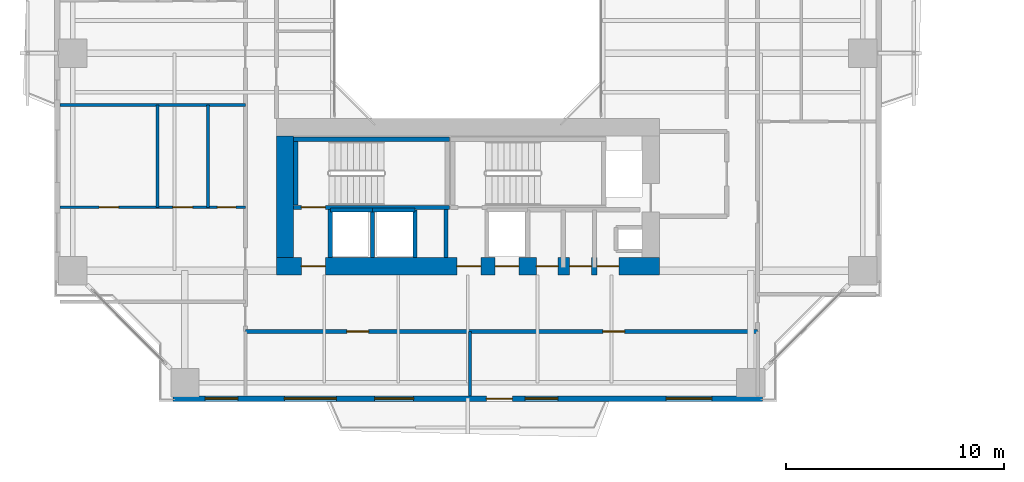
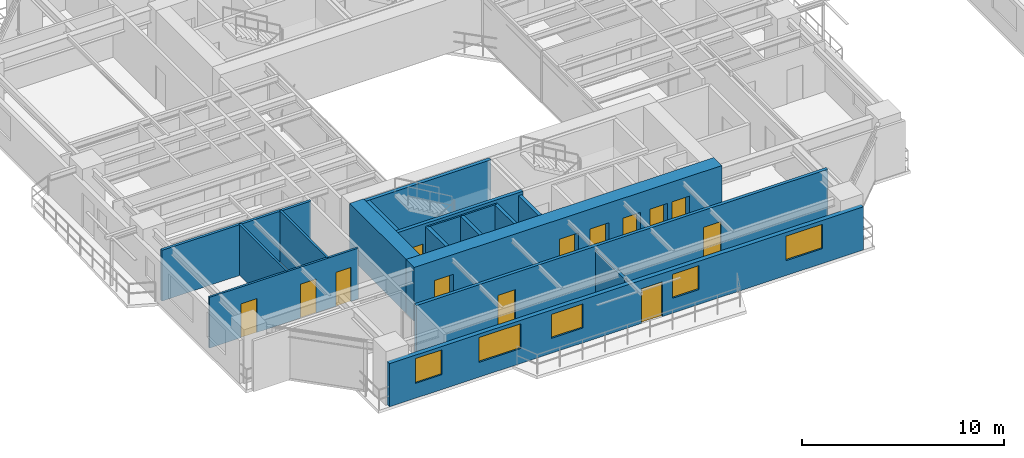
# One storey, part 12 of 23: 18 walls, 13 doors, 5 windows, 18 openings.
"""IFC4 building model written with IfcOpenShell, lengths in metres."""

from ifc_helpers import new_model, si_unit, direction, frame, frame_2d, origin, place, context, subcontext, project, spatial, rectangle, extrude, source, transform, mapped, material, layer, layer_set, type_object, element, fill, save


model = new_model("IFC4")

# Units and contexts
model_context = context("Model", 3, precision=1e-05, world=origin(), true_north=direction((0.0, 1.0)))
body_context = subcontext(model_context, "Body", "Model", "MODEL_VIEW")
ifc_project = project(units=[si_unit("LENGTHUNIT", "METRE"), si_unit("AREAUNIT", "SQUARE_METRE"), si_unit("VOLUMEUNIT", "CUBIC_METRE"), si_unit("PLANEANGLEUNIT", "RADIAN"), si_unit("MASSUNIT", "GRAM", prefix="KILO"), si_unit("THERMODYNAMICTEMPERATUREUNIT", "KELVIN"), si_unit("POWERUNIT", "WATT")], contexts=[model_context])

# Site, building, storey
site_placement = place(None, origin())
site = spatial("IfcSite", under=ifc_project, at=site_placement, CompositionType="ELEMENT")
building_placement = place(site_placement, origin())
building = spatial("IfcBuilding", under=site, at=building_placement, Name="Qiaomeng Ring Towers", CompositionType="ELEMENT")
storey_placement = place(building_placement, frame((0.0, 0.0, 76.25)))
storey = spatial("IfcBuildingStorey", under=building, at=storey_placement, Name="L21", CompositionType="ELEMENT", Elevation=76.25)

# Wall, openings, windows, door
ifc_material_1 = material(Name="Precast concrete C40", Category="concrete")
ifc_layer_1 = layer(ifc_material_1, 0.25, Name="Precast concrete C40")
ifc_layer_set_1 = layer_set([ifc_layer_1], Name="Precast concrete C40")
wall_type_1 = type_object("IfcWallType", Name="ARC-WL-EW1", PredefinedType="STANDARD", material=ifc_layer_set_1)
wall_1_placement = place(storey_placement, frame((5.449951171875, 4.125, 0.0), z_axis=(0.0, 0.0, 1.0), x_axis=(1.0, 0.0, 0.0)))
wall_1 = element("IfcWall", 1, at=wall_1_placement, inside=storey, type_object=wall_type_1, Name="L21 Tower 1 S Exterior Wall", PredefinedType="STANDARD", context=body_context, shape_type="SweptSolid", body=[
    extrude(rectangle(XDim=27.10009765625, YDim=0.25, at=frame_2d((13.550048828125, 0.0))), origin(), (0.0, 0.0, 1.0), 2.610107421875),
])
opening_1_placement = place(wall_1_placement, frame((14.39990234375, 0.0, 0.0)))
opening_1 = element("IfcOpeningElement", 2, at=opening_1_placement, cuts=wall_1, Name="Opening BD1", PredefinedType="OPENING", context=body_context, shape_type="SweptSolid", body=[
    extrude(rectangle(XDim=1.199951171875, YDim=2.10009765625, at=frame_2d((0.60009765625, 1.050048828125))), frame((0.0, 0.135009765625, 0.0), z_axis=(0.0, -1.0, 0.0), x_axis=(1.0, 0.0, 0.0)), (0.0, 0.0, 1.0), 0.27001953125),
])
opening_2_placement = place(wall_1_placement, frame((1.47998046875, 0.0, 0.89990234375)))
opening_2 = element("IfcOpeningElement", 3, at=opening_2_placement, cuts=wall_1, Name="Opening WN2", PredefinedType="OPENING", context=body_context, shape_type="SweptSolid", body=[
    extrude(rectangle(XDim=1.5, YDim=1.5, at=frame_2d((0.75, 0.75))), frame((0.0, 0.135009765625, 0.0), z_axis=(0.0, -1.0, 0.0), x_axis=(1.0, 0.0, 0.0)), (0.0, 0.0, 1.0), 0.27001953125),
])
opening_3_placement = place(wall_1_placement, frame((9.262939453125, 0.0, 0.89990234375)))
opening_3 = element("IfcOpeningElement", 4, at=opening_3_placement, cuts=wall_1, Name="Opening WN1", PredefinedType="OPENING", context=body_context, shape_type="SweptSolid", body=[
    extrude(rectangle(XDim=1.800048828125, YDim=1.449951171875, at=frame_2d((0.89990234375, 0.72509765625))), frame((0.0, 0.135009765625, 0.0), z_axis=(0.0, -1.0, 0.0), x_axis=(1.0, 0.0, 0.0)), (0.0, 0.0, 1.0), 0.27001953125),
])
opening_4_placement = place(wall_1_placement, frame((16.18798828125, 0.0, 0.89990234375)))
opening_4 = element("IfcOpeningElement", 5, at=opening_4_placement, cuts=wall_1, Name="Opening WN2", PredefinedType="OPENING", context=body_context, shape_type="SweptSolid", body=[
    extrude(rectangle(XDim=1.5, YDim=1.449951171875, at=frame_2d((0.75, 0.72509765625))), frame((0.0, 0.135009765625, 0.0), z_axis=(0.0, -1.0, 0.0), x_axis=(1.0, 0.0, 0.0)), (0.0, 0.0, 1.0), 0.27001953125),
])
opening_5_placement = place(wall_1_placement, frame((22.6630859375, 0.0, 0.89990234375)))
opening_5 = element("IfcOpeningElement", 6, at=opening_5_placement, cuts=wall_1, Name="Opening WN4", PredefinedType="OPENING", context=body_context, shape_type="SweptSolid", body=[
    extrude(rectangle(XDim=2.10009765625, YDim=1.47998046875, at=frame_2d((1.050048828125, 0.739990234375))), frame((0.0, 0.135009765625, 0.0), z_axis=(0.0, -1.0, 0.0), x_axis=(1.0, 0.0, 0.0)), (0.0, 0.0, 1.0), 0.27001953125),
])
opening_6_placement = place(wall_1_placement, frame((5.114013671875, 0.0, 0.89990234375)))
opening_6 = element("IfcOpeningElement", 7, at=opening_6_placement, cuts=wall_1, Name="Opening WN6", PredefinedType="OPENING", context=body_context, shape_type="SweptSolid", body=[
    extrude(rectangle(XDim=2.39990234375, YDim=1.5, at=frame_2d((1.199951171875, 0.75))), frame((0.0, 0.135009765625, 0.0), z_axis=(0.0, -1.0, 0.0), x_axis=(1.0, 0.0, 0.0)), (0.0, 0.0, 1.0), 0.27001953125),
])
ifc_material_2 = material(Name="Low-E dark-grey laminated double glazing", Category="glass")
window_type_1 = type_object("IfcWindowType", Name="ARC-WN-2", PartitioningType="DOUBLE_PANEL_VERTICAL", PredefinedType="WINDOW", material=ifc_material_2)
shared_shape_1 = source(origin(), body_context, "Body", "SweptSolid", [
    extrude(rectangle(XDim=1.5, YDim=1.449951171875, at=frame_2d((0.75, 0.72509765625))), frame((0.0, 0.030029296875, 0.0), z_axis=(0.0, -1.0, 0.0), x_axis=(1.0, 0.0, 0.0)), (0.0, 0.0, 1.0), 0.06005859375),
])
window_1_placement = place(opening_4_placement, origin())
window_1 = element("IfcWindow", 8, at=window_1_placement, inside=storey, type_object=window_type_1, Name="L21 Exterior Window WN2", OverallHeight=1.449951171875, OverallWidth=1.5, PartitioningType="DOUBLE_PANEL_VERTICAL", PredefinedType="WINDOW", context=body_context, shape_type="MappedRepresentation", body=[
    mapped(shared_shape_1, transform((0.0, 0.0, 0.0), x_axis=(1.0, 0.0, 0.0), y_axis=(0.0, 1.0, 0.0), z_axis=(0.0, 0.0, 1.0), scale=1.0)),
])
fill(opening_4, window_1)
window_type_2 = type_object("IfcWindowType", Name="ARC-WN-4", PartitioningType="TRIPLE_PANEL_VERTICAL", PredefinedType="WINDOW", material=ifc_material_2)
shared_shape_2 = source(origin(), body_context, "Body", "SweptSolid", [
    extrude(rectangle(XDim=2.10009765625, YDim=1.47998046875, at=frame_2d((1.050048828125, 0.739990234375))), frame((0.0, 0.030029296875, 0.0), z_axis=(0.0, -1.0, 0.0), x_axis=(1.0, 0.0, 0.0)), (0.0, 0.0, 1.0), 0.06005859375),
])
window_2_placement = place(opening_5_placement, origin())
window_2 = element("IfcWindow", 9, at=window_2_placement, inside=storey, type_object=window_type_2, Name="L21 Exterior Window WN4", OverallHeight=1.47998046875, OverallWidth=2.10009765625, PartitioningType="TRIPLE_PANEL_VERTICAL", PredefinedType="WINDOW", context=body_context, shape_type="MappedRepresentation", body=[
    mapped(shared_shape_2, transform((0.0, 0.0, 0.0), x_axis=(1.0, 0.0, 0.0), y_axis=(0.0, 1.0, 0.0), z_axis=(0.0, 0.0, 1.0), scale=1.0)),
])
fill(opening_5, window_2)
window_type_3 = type_object("IfcWindowType", Name="ARC-WN-1", PartitioningType="DOUBLE_PANEL_VERTICAL", PredefinedType="WINDOW", material=ifc_material_2)
shared_shape_3 = source(origin(), body_context, "Body", "SweptSolid", [
    extrude(rectangle(XDim=1.800048828125, YDim=1.449951171875, at=frame_2d((0.89990234375, 0.72509765625))), frame((0.0, 0.030029296875, 0.0), z_axis=(0.0, -1.0, 0.0), x_axis=(1.0, 0.0, 0.0)), (0.0, 0.0, 1.0), 0.06005859375),
])
window_3_placement = place(opening_3_placement, origin())
window_3 = element("IfcWindow", 10, at=window_3_placement, inside=storey, type_object=window_type_3, Name="L21 Exterior Window WN1", OverallHeight=1.449951171875, OverallWidth=1.800048828125, PartitioningType="DOUBLE_PANEL_VERTICAL", PredefinedType="WINDOW", context=body_context, shape_type="MappedRepresentation", body=[
    mapped(shared_shape_3, transform((0.0, 0.0, 0.0), x_axis=(1.0, 0.0, 0.0), y_axis=(0.0, 1.0, 0.0), z_axis=(0.0, 0.0, 1.0), scale=1.0)),
])
fill(opening_3, window_3)
door_type_1 = type_object("IfcDoorType", Name="ARC-DR-BD1", OperationType="NOTDEFINED", PredefinedType="DOOR", material=ifc_material_2)
shared_shape_4 = source(origin(), body_context, "Body", "SweptSolid", [
    extrude(rectangle(XDim=1.199951171875, YDim=2.10009765625, at=frame_2d((0.60009765625, 1.050048828125))), frame((0.0, 0.02490234375, 0.0), z_axis=(0.0, -1.0, 0.0), x_axis=(1.0, 0.0, 0.0)), (0.0, 0.0, 1.0), 0.050048828125),
])
door_1_placement = place(opening_1_placement, frame((1.199951171875, 0.0, 0.0), z_axis=(0.0, 0.0, 1.0), x_axis=(-1.0, 0.0, 0.0)))
door_1 = element("IfcDoor", 11, at=door_1_placement, inside=storey, type_object=door_type_1, Name="L21 S Balcony Glazed Door", OperationType="SINGLE_SWING_LEFT", OverallHeight=2.10009765625, OverallWidth=1.199951171875, PredefinedType="DOOR", context=body_context, shape_type="MappedRepresentation", body=[
    mapped(shared_shape_4, transform((0.0, 0.0, 0.0), x_axis=(1.0, 0.0, 0.0), y_axis=(0.0, 1.0, 0.0), z_axis=(0.0, 0.0, 1.0), scale=1.0)),
])
fill(opening_1, door_1)
shared_shape_5 = source(origin(), body_context, "Body", "SweptSolid", [
    extrude(rectangle(XDim=1.5, YDim=1.5, at=frame_2d((0.75, 0.75))), frame((0.0, 0.030029296875, 0.0), z_axis=(0.0, -1.0, 0.0), x_axis=(1.0, 0.0, 0.0)), (0.0, 0.0, 1.0), 0.06005859375),
])
window_4_placement = place(opening_2_placement, origin())
window_4 = element("IfcWindow", 12, at=window_4_placement, inside=storey, type_object=window_type_1, Name="L21 Exterior Window WN6", OverallHeight=1.5, OverallWidth=1.5, PartitioningType="TRIPLE_PANEL_VERTICAL", PredefinedType="WINDOW", context=body_context, shape_type="MappedRepresentation", body=[
    mapped(shared_shape_5, transform((0.0, 0.0, 0.0), x_axis=(1.0, 0.0, 0.0), y_axis=(0.0, 1.0, 0.0), z_axis=(0.0, 0.0, 1.0), scale=1.0)),
])
fill(opening_2, window_4)
window_type_4 = type_object("IfcWindowType", Name="ARC-WN-6", PartitioningType="TRIPLE_PANEL_VERTICAL", PredefinedType="WINDOW", material=ifc_material_2)
shared_shape_6 = source(origin(), body_context, "Body", "SweptSolid", [
    extrude(rectangle(XDim=2.39990234375, YDim=1.5, at=frame_2d((1.199951171875, 0.75))), frame((0.0, 0.030029296875, 0.0), z_axis=(0.0, -1.0, 0.0), x_axis=(1.0, 0.0, 0.0)), (0.0, 0.0, 1.0), 0.06005859375),
])
window_5_placement = place(opening_6_placement, origin())
window_5 = element("IfcWindow", 13, at=window_5_placement, inside=storey, type_object=window_type_4, Name="L21 Exterior Window WN6", OverallHeight=1.5, OverallWidth=2.39990234375, PartitioningType="TRIPLE_PANEL_VERTICAL", PredefinedType="WINDOW", context=body_context, shape_type="MappedRepresentation", body=[
    mapped(shared_shape_6, transform((0.0, 0.0, 0.0), x_axis=(1.0, 0.0, 0.0), y_axis=(0.0, 1.0, 0.0), z_axis=(0.0, 0.0, 1.0), scale=1.0)),
])
fill(opening_6, window_5)

# Walls
ifc_material_3 = material(Name="Autoclaved aerated concrete block", Category="concrete")
ifc_layer_2 = layer(ifc_material_3, 0.199951171875, Name="Autoclaved aerated concrete block")
ifc_layer_set_2 = layer_set([ifc_layer_2], Name="Autoclaved aerated concrete block")
wall_type_2 = type_object("IfcWallType", Name="ARC-WL-PW1", PredefinedType="PARTITIONING", material=ifc_layer_set_2)
for number, where, z_axis, x_axis, name in (
    (14, (12.679931640625, 10.60009765625, 0.0), (0.0, 0.0, 1.0), (0.0, 1.0, 0.0), "L21 Interior Wall PW1"),
    (15, (18.0, 10.60009765625, 0.0), (0.0, 0.0, 1.0), (0.0, 1.0, 0.0), "L21 Interior Wall PW1"),
):
    element("IfcWall", number, at=place(storey_placement, frame(where, z_axis=z_axis, x_axis=x_axis)), inside=storey, type_object=wall_type_2, Name=name, PredefinedType="PARTITIONING", context=body_context, shape_type="SweptSolid", body=[
        extrude(rectangle(XDim=2.2099609375, YDim=0.199951171875, at=frame_2d((1.10498046875, 0.0))), origin(), (0.0, 0.0, 1.0), 3.070068359375),
    ])

# Wall, openings, doors
ifc_layer_3 = layer(ifc_material_3, 0.179931640625, Name="Autoclaved aerated concrete block")
ifc_layer_set_3 = layer_set([ifc_layer_3], Name="Autoclaved aerated concrete block")
wall_type_3 = type_object("IfcWallType", Name="ARC-WL-PW2", PredefinedType="PARTITIONING", material=ifc_layer_set_3)
wall_2_placement = place(storey_placement, frame((8.780029296875, 7.2099609375, 0.0), z_axis=(0.0, 0.0, 1.0), x_axis=(1.0, 0.0, 0.0)))
wall_2 = element("IfcWall", 16, at=wall_2_placement, inside=storey, type_object=wall_type_3, Name="L21 Interior Wall PW2", PredefinedType="PARTITIONING", context=body_context, shape_type="SweptSolid", body=[
    extrude(rectangle(XDim=23.5400390625, YDim=0.179931640625, at=frame_2d((11.77001953125, 0.0))), origin(), (0.0, 0.0, 1.0), 3.070068359375),
])
opening_7_placement = place(wall_2_placement, frame((4.659912109375, 0.0, 0.0)))
opening_7 = element("IfcOpeningElement", 17, at=opening_7_placement, cuts=wall_2, Name="Opening FD4", PredefinedType="OPENING", context=body_context, shape_type="SweptSolid", body=[
    extrude(rectangle(XDim=1.0, YDim=2.050048828125, at=frame_2d((0.5, 1.02490234375))), frame((0.0, 0.099853515625, 0.0), z_axis=(0.0, -1.0, 0.0), x_axis=(1.0, 0.0, 0.0)), (0.0, 0.0, 1.0), 0.199951171875),
])
opening_8_placement = place(wall_2_placement, frame((16.429931640625, 0.0, 0.0)))
opening_8 = element("IfcOpeningElement", 18, at=opening_8_placement, cuts=wall_2, Name="Opening FD4", PredefinedType="OPENING", context=body_context, shape_type="SweptSolid", body=[
    extrude(rectangle(XDim=1.0, YDim=2.050048828125, at=frame_2d((0.5, 1.02490234375))), frame((0.0, 0.099853515625, 0.0), z_axis=(0.0, -1.0, 0.0), x_axis=(1.0, 0.0, 0.0)), (0.0, 0.0, 1.0), 0.199951171875),
])
ifc_material_4 = material(Name="Engineered fire-rated oak timber", Category="wood")
door_type_2 = type_object("IfcDoorType", Name="ARC-DR-FD4", OperationType="NOTDEFINED", PredefinedType="DOOR", material=ifc_material_4)
shared_shape_7 = source(origin(), body_context, "Body", "SweptSolid", [
    extrude(rectangle(XDim=1.0, YDim=2.050048828125, at=frame_2d((0.5, 1.02490234375))), frame((0.0, 0.02490234375, 0.0), z_axis=(0.0, -1.0, 0.0), x_axis=(1.0, 0.0, 0.0)), (0.0, 0.0, 1.0), 0.050048828125),
])
door_2_placement = place(opening_7_placement, origin())
door_2 = element("IfcDoor", 19, at=door_2_placement, inside=storey, type_object=door_type_2, Name="L21 Door FD4", OperationType="SINGLE_SWING_RIGHT", OverallHeight=2.050048828125, OverallWidth=1.0, PredefinedType="DOOR", context=body_context, shape_type="MappedRepresentation", body=[
    mapped(shared_shape_7, transform((0.0, 0.0, 0.0), x_axis=(1.0, 0.0, 0.0), y_axis=(0.0, 1.0, 0.0), z_axis=(0.0, 0.0, 1.0), scale=1.0)),
])
fill(opening_7, door_2)
door_3_placement = place(opening_8_placement, origin())
door_3 = element("IfcDoor", 20, at=door_3_placement, inside=storey, type_object=door_type_2, Name="L21 Door FD4", OperationType="SINGLE_SWING_LEFT", OverallHeight=2.050048828125, OverallWidth=1.0, PredefinedType="DOOR", context=body_context, shape_type="MappedRepresentation", body=[
    mapped(shared_shape_7, transform((0.0, 0.0, 0.0), x_axis=(1.0, 0.0, 0.0), y_axis=(0.0, 1.0, 0.0), z_axis=(0.0, 0.0, 1.0), scale=1.0)),
])
fill(opening_8, door_3)

# Walls
ifc_material_5 = material(Name="Gypsum fireboard steel-stud partition", Category="steel")
ifc_layer_4 = layer(ifc_material_5, 0.14990234375, Name="Gypsum fireboard steel-stud partition")
ifc_layer_set_4 = layer_set([ifc_layer_4], Name="Gypsum fireboard steel-stud partition")
wall_type_4 = type_object("IfcWallType", Name="ARC-WL-PW3", PredefinedType="PARTITIONING", material=ifc_layer_set_4)
wall_3_placement = place(storey_placement, frame((19.10009765625, 4.25, 0.0), z_axis=(0.0, 0.0, 1.0), x_axis=(0.0, 1.0, 0.0)))
element("IfcWall", 21, at=wall_3_placement, inside=storey, type_object=wall_type_4, Name="L21 Interior Wall PW3", PredefinedType="PARTITIONING", context=body_context, shape_type="SweptSolid", body=[
    extrude(rectangle(XDim=2.9599609375, YDim=0.14990234375, at=frame_2d((1.47998046875, 0.0))), origin(), (0.0, 0.0, 1.0), 2.81494140625),
])
wall_4_placement = place(storey_placement, frame((0.25, 17.6201171875, 0.0), z_axis=(0.0, 0.0, 1.0), x_axis=(1.0, 0.0, 0.0)))
element("IfcWall", 22, at=wall_4_placement, inside=storey, type_object=wall_type_4, Name="L21 Interior Wall PW3", PredefinedType="PARTITIONING", context=body_context, shape_type="SweptSolid", body=[
    extrude(rectangle(XDim=8.530029296875, YDim=0.14990234375, at=frame_2d((4.26513671875, 0.0))), origin(), (0.0, 0.0, 1.0), 3.070068359375),
])

# Wall, openings, doors
ifc_material_6 = material(Name="Moisture-resistant gypsum steel-stud partition", Category="steel")
ifc_layer_5 = layer(ifc_material_6, 0.1201171875, Name="Moisture-resistant gypsum steel-stud partition")
ifc_layer_set_5 = layer_set([ifc_layer_5], Name="Moisture-resistant gypsum steel-stud partition")
wall_type_5 = type_object("IfcWallType", Name="ARC-WL-PW4", PredefinedType="PLUMBINGWALL", material=ifc_layer_set_5)
wall_5_placement = place(storey_placement, frame((0.25, 12.909912109375, 0.0), z_axis=(0.0, 0.0, 1.0), x_axis=(1.0, 0.0, 0.0)))
wall_5 = element("IfcWall", 23, at=wall_5_placement, inside=storey, type_object=wall_type_5, Name="L21 Interior Wall PW4", PredefinedType="PLUMBINGWALL", context=body_context, shape_type="SweptSolid", body=[
    extrude(rectangle(XDim=8.530029296875, YDim=0.1201171875, at=frame_2d((4.26513671875, 0.0))), origin(), (0.0, 0.0, 1.0), 3.070068359375),
])
opening_9_placement = place(wall_5_placement, frame((1.804931640625, 0.0, 0.0)))
opening_9 = element("IfcOpeningElement", 24, at=opening_9_placement, cuts=wall_5, Name="Opening ID1", PredefinedType="OPENING", context=body_context, shape_type="SweptSolid", body=[
    extrude(rectangle(XDim=0.89990234375, YDim=2.050048828125, at=frame_2d((0.449951171875, 1.02490234375))), frame((0.0, 0.070068359375, 0.0), z_axis=(0.0, -1.0, 0.0), x_axis=(1.0, 0.0, 0.0)), (0.0, 0.0, 1.0), 0.14013671875),
])
opening_10_placement = place(wall_5_placement, frame((5.199951171875, 0.0, 0.0)))
opening_10 = element("IfcOpeningElement", 25, at=opening_10_placement, cuts=wall_5, Name="Opening ID1", PredefinedType="OPENING", context=body_context, shape_type="SweptSolid", body=[
    extrude(rectangle(XDim=0.89990234375, YDim=2.050048828125, at=frame_2d((0.449951171875, 1.02490234375))), frame((0.0, 0.070068359375, 0.0), z_axis=(0.0, -1.0, 0.0), x_axis=(1.0, 0.0, 0.0)), (0.0, 0.0, 1.0), 0.14013671875),
])
opening_11_placement = place(wall_5_placement, frame((7.235107421875, 0.0, 0.0)))
opening_11 = element("IfcOpeningElement", 26, at=opening_11_placement, cuts=wall_5, Name="Opening ID2", PredefinedType="OPENING", context=body_context, shape_type="SweptSolid", body=[
    extrude(rectangle(XDim=0.85009765625, YDim=2.050048828125, at=frame_2d((0.425048828125, 1.02490234375))), frame((0.0, 0.070068359375, 0.0), z_axis=(0.0, -1.0, 0.0), x_axis=(1.0, 0.0, 0.0)), (0.0, 0.0, 1.0), 0.14013671875),
])
ifc_material_7 = material(Name="Moisture-resistant engineered timber", Category="wood")
door_type_3 = type_object("IfcDoorType", Name="ARC-DR-ID2", OperationType="NOTDEFINED", PredefinedType="DOOR", material=ifc_material_7)
shared_shape_8 = source(origin(), body_context, "Body", "SweptSolid", [
    extrude(rectangle(XDim=0.85009765625, YDim=2.050048828125, at=frame_2d((0.425048828125, 1.02490234375))), frame((0.0, 0.02490234375, 0.0), z_axis=(0.0, -1.0, 0.0), x_axis=(1.0, 0.0, 0.0)), (0.0, 0.0, 1.0), 0.050048828125),
])
door_4_placement = place(opening_11_placement, origin())
door_4 = element("IfcDoor", 27, at=door_4_placement, inside=storey, type_object=door_type_3, Name="L21 Door ID2", OperationType="SINGLE_SWING_RIGHT", OverallHeight=2.050048828125, OverallWidth=0.85009765625, PredefinedType="DOOR", context=body_context, shape_type="MappedRepresentation", body=[
    mapped(shared_shape_8, transform((0.0, 0.0, 0.0), x_axis=(1.0, 0.0, 0.0), y_axis=(0.0, 1.0, 0.0), z_axis=(0.0, 0.0, 1.0), scale=1.0)),
])
fill(opening_11, door_4)
ifc_material_8 = material(Name="Engineered oak timber", Category="wood")
door_type_4 = type_object("IfcDoorType", Name="ARC-DR-ID1", OperationType="NOTDEFINED", PredefinedType="DOOR", material=ifc_material_8)
shared_shape_9 = source(origin(), body_context, "Body", "SweptSolid", [
    extrude(rectangle(XDim=0.89990234375, YDim=2.050048828125, at=frame_2d((0.449951171875, 1.02490234375))), frame((0.0, 0.02490234375, 0.0), z_axis=(0.0, -1.0, 0.0), x_axis=(1.0, 0.0, 0.0)), (0.0, 0.0, 1.0), 0.050048828125),
])
door_5_placement = place(opening_9_placement, origin())
door_5 = element("IfcDoor", 28, at=door_5_placement, inside=storey, type_object=door_type_4, Name="L21 Door ID1", OperationType="SINGLE_SWING_RIGHT", OverallHeight=2.050048828125, OverallWidth=0.89990234375, PredefinedType="DOOR", context=body_context, shape_type="MappedRepresentation", body=[
    mapped(shared_shape_9, transform((0.0, 0.0, 0.0), x_axis=(1.0, 0.0, 0.0), y_axis=(0.0, 1.0, 0.0), z_axis=(0.0, 0.0, 1.0), scale=1.0)),
])
fill(opening_9, door_5)
door_6_placement = place(opening_10_placement, origin())
door_6 = element("IfcDoor", 29, at=door_6_placement, inside=storey, type_object=door_type_4, Name="L21 Door ID1", OperationType="SINGLE_SWING_LEFT", OverallHeight=2.050048828125, OverallWidth=0.89990234375, PredefinedType="DOOR", context=body_context, shape_type="MappedRepresentation", body=[
    mapped(shared_shape_9, transform((0.0, 0.0, 0.0), x_axis=(1.0, 0.0, 0.0), y_axis=(0.0, 1.0, 0.0), z_axis=(0.0, 0.0, 1.0), scale=1.0)),
])
fill(opening_10, door_6)

# Walls
for number, where, z_axis, x_axis, name in (
    (30, (4.739990234375, 12.909912109375, 0.0), (0.0, 0.0, 1.0), (0.0, 1.0, 0.0), "L21 Interior Wall PW4"),
    (31, (7.06005859375, 12.909912109375, 0.0), (0.0, 0.0, 1.0), (0.0, 1.0, 0.0), "L21 Interior Wall PW4"),
):
    element("IfcWall", number, at=place(storey_placement, frame(where, z_axis=z_axis, x_axis=x_axis)), inside=storey, type_object=wall_type_5, Name=name, PredefinedType="PLUMBINGWALL", context=body_context, shape_type="SweptSolid", body=[
        extrude(rectangle(XDim=4.710205078125, YDim=0.1201171875, at=frame_2d((2.35498046875, 0.0))), origin(), (0.0, 0.0, 1.0), 3.070068359375),
    ])
ifc_material_9 = material(Name="Concrete C40", Category="concrete")
ifc_layer_6 = layer(ifc_material_9, 0.199951171875, Name="Concrete C40")
ifc_layer_set_6 = layer_set([ifc_layer_6], Name="Concrete C40")
wall_type_6 = type_object("IfcWallType", Name="STR-WL-STSHAFT", PredefinedType="SHEAR", material=ifc_layer_set_6)
wall_6_placement = place(storey_placement, frame((12.679931640625, 12.800048828125, 0.0), z_axis=(0.0, 0.0, 1.0), x_axis=(1.0, 0.0, 0.0)))
element("IfcWall", 32, at=wall_6_placement, inside=storey, type_object=wall_type_6, Name="L21 Lift LP6 Shaft Back Wall", PredefinedType="SHEAR", context=body_context, shape_type="SweptSolid", body=[
    extrude(rectangle(XDim=1.940185546875, YDim=0.179931640625, at=frame_2d((0.97021484375, 0.0))), origin(), (0.0, 0.0, 1.0), 3.070068359375),
])
wall_7_placement = place(storey_placement, frame((14.6201171875, 10.60009765625, 0.0), z_axis=(0.0, 0.0, 1.0), x_axis=(0.0, 1.0, 0.0)))
element("IfcWall", 33, at=wall_7_placement, inside=storey, type_object=wall_type_6, Name="L21 Lift LP6-LP4 Shaft Divider Wall", PredefinedType="SHEAR", context=body_context, shape_type="SweptSolid", body=[
    extrude(rectangle(XDim=2.199951171875, YDim=0.179931640625, at=frame_2d((1.10009765625, 0.0))), origin(), (0.0, 0.0, 1.0), 3.070068359375),
])
wall_8_placement = place(storey_placement, frame((14.6201171875, 12.800048828125, 0.0), z_axis=(0.0, 0.0, 1.0), x_axis=(1.0, 0.0, 0.0)))
element("IfcWall", 34, at=wall_8_placement, inside=storey, type_object=wall_type_6, Name="L21 Lift LP4 Shaft Back Wall", PredefinedType="SHEAR", context=body_context, shape_type="SweptSolid", body=[
    extrude(rectangle(XDim=1.9599609375, YDim=0.179931640625, at=frame_2d((0.97998046875, 0.0))), origin(), (0.0, 0.0, 1.0), 3.070068359375),
])
wall_9_placement = place(storey_placement, frame((16.580078125, 10.60009765625, 0.0), z_axis=(0.0, 0.0, 1.0), x_axis=(0.0, 1.0, 0.0)))
element("IfcWall", 35, at=wall_9_placement, inside=storey, type_object=wall_type_6, Name="L21 Lift LP4 East Shaft Wall", PredefinedType="SHEAR", context=body_context, shape_type="SweptSolid", body=[
    extrude(rectangle(XDim=2.199951171875, YDim=0.179931640625, at=frame_2d((1.10009765625, 0.0))), origin(), (0.0, 0.0, 1.0), 3.070068359375),
])

# Wall, opening, door
wall_10_placement = place(storey_placement, frame((11.0, 12.909912109375, 0.0), z_axis=(0.0, 0.0, 1.0), x_axis=(1.0, 0.0, 0.0)))
wall_10 = element("IfcWall", 36, at=wall_10_placement, inside=storey, type_object=wall_type_6, Name="L21 Stair ST3 South Shaft Shear Wall", PredefinedType="SHEAR", context=body_context, shape_type="SweptSolid", body=[
    extrude(rectangle(XDim=7.14990234375, YDim=0.199951171875, at=frame_2d((3.574951171875, 0.0))), origin(), (0.0, 0.0, 1.0), 3.25),
])
opening_12_placement = place(wall_10_placement, frame((0.35009765625, 0.0, 0.0)))
opening_12 = element("IfcOpeningElement", 37, at=opening_12_placement, cuts=wall_10, Name="Opening FD3", PredefinedType="OPENING", context=body_context, shape_type="SweptSolid", body=[
    extrude(rectangle(XDim=1.10009765625, YDim=2.050048828125, at=frame_2d((0.550048828125, 1.02490234375))), frame((0.0, 0.10986328125, 0.0), z_axis=(0.0, -1.0, 0.0), x_axis=(1.0, 0.0, 0.0)), (0.0, 0.0, 1.0), 0.219970703125),
])
ifc_material_10 = material(Name="Galvanised steel", Category="steel")
door_type_5 = type_object("IfcDoorType", Name="ARC-DR-FD3", OperationType="NOTDEFINED", PredefinedType="DOOR", material=ifc_material_10)
shared_shape_10 = source(origin(), body_context, "Body", "SweptSolid", [
    extrude(rectangle(XDim=1.10009765625, YDim=2.050048828125, at=frame_2d((0.550048828125, 1.02490234375))), frame((0.0, 0.02490234375, 0.0), z_axis=(0.0, -1.0, 0.0), x_axis=(1.0, 0.0, 0.0)), (0.0, 0.0, 1.0), 0.050048828125),
])
door_7_placement = place(opening_12_placement, frame((1.10009765625, 0.0, 0.0), z_axis=(0.0, 0.0, 1.0), x_axis=(-1.0, 0.0, 0.0)))
door_7 = element("IfcDoor", 38, at=door_7_placement, inside=storey, type_object=door_type_5, Name="L21 Stair ST3 Exit Door", OperationType="SINGLE_SWING_RIGHT", OverallHeight=2.050048828125, OverallWidth=1.10009765625, PredefinedType="DOOR", context=body_context, shape_type="MappedRepresentation", body=[
    mapped(shared_shape_10, transform((0.0, 0.0, 0.0), x_axis=(1.0, 0.0, 0.0), y_axis=(0.0, 1.0, 0.0), z_axis=(0.0, 0.0, 1.0), scale=1.0)),
])
fill(opening_12, door_7)

# Walls
wall_11_placement = place(storey_placement, frame((11.0, 16.050048828125, 0.0), z_axis=(0.0, 0.0, 1.0), x_axis=(1.0, 0.0, 0.0)))
element("IfcWall", 39, at=wall_11_placement, inside=storey, type_object=wall_type_6, Name="L21 Stair ST3 North Shaft Shear Wall", PredefinedType="SHEAR", context=body_context, shape_type="SweptSolid", body=[
    extrude(rectangle(XDim=7.14990234375, YDim=0.199951171875, at=frame_2d((3.574951171875, 0.0))), origin(), (0.0, 0.0, 1.0), 3.25),
])
wall_12_placement = place(storey_placement, frame((11.10009765625, 13.010009765625, 0.0), z_axis=(0.0, 0.0, 1.0), x_axis=(0.0, 1.0, 0.0)))
element("IfcWall", 40, at=wall_12_placement, inside=storey, type_object=wall_type_6, Name="L21 Stair ST3 West Shaft Shear Wall", PredefinedType="SHEAR", context=body_context, shape_type="SweptSolid", body=[
    extrude(rectangle(XDim=2.93994140625, YDim=0.199951171875, at=frame_2d((1.469970703125, 0.0))), origin(), (0.0, 0.0, 1.0), 3.25),
])

# Wall, openings, doors
ifc_material_11 = material(Name="Concrete C60", Category="concrete")
ifc_layer_7 = layer(ifc_material_11, 0.800048828125, Name="Concrete C60")
ifc_layer_set_7 = layer_set([ifc_layer_7], Name="Concrete C60")
wall_type_7 = type_object("IfcWallType", Name="STR-WL-SW1", PredefinedType="SHEAR", material=ifc_layer_set_7)
wall_13_placement = place(storey_placement, frame((10.199951171875, 10.199951171875, 0.0), z_axis=(0.0, 0.0, 1.0), x_axis=(1.0, 0.0, 0.0)))
wall_13 = element("IfcWall", 41, at=wall_13_placement, inside=storey, type_object=wall_type_7, Name="L21 T1SC south core shear wall", PredefinedType="SHEAR", context=body_context, shape_type="SweptSolid", body=[
    extrude(rectangle(XDim=17.60009765625, YDim=0.800048828125, at=frame_2d((8.800048828125, 0.0))), origin(), (0.0, 0.0, 1.0), 3.25),
])
opening_13_placement = place(wall_13_placement, frame((1.14990234375, 0.0, 0.0)))
opening_13 = element("IfcOpeningElement", 42, at=opening_13_placement, cuts=wall_13, Name="Opening FD3", PredefinedType="OPENING", context=body_context, shape_type="SweptSolid", body=[
    extrude(rectangle(XDim=1.10009765625, YDim=2.050048828125, at=frame_2d((0.550048828125, 1.02490234375))), frame((0.0, 0.409912109375, 0.0), z_axis=(0.0, -1.0, 0.0), x_axis=(1.0, 0.0, 0.0)), (0.0, 0.0, 1.0), 0.820068359375),
])
opening_14_placement = place(wall_13_placement, frame((8.300048828125, 0.0, 0.0)))
opening_14 = element("IfcOpeningElement", 43, at=opening_14_placement, cuts=wall_13, Name="Opening FD3", PredefinedType="OPENING", context=body_context, shape_type="SweptSolid", body=[
    extrude(rectangle(XDim=1.10009765625, YDim=2.050048828125, at=frame_2d((0.550048828125, 1.02490234375))), frame((0.0, 0.409912109375, 0.0), z_axis=(0.0, -1.0, 0.0), x_axis=(1.0, 0.0, 0.0)), (0.0, 0.0, 1.0), 0.820068359375),
])
opening_15_placement = place(wall_13_placement, frame((10.050048828125, 0.0, 0.0)))
opening_15 = element("IfcOpeningElement", 44, at=opening_15_placement, cuts=wall_13, Name="Opening LD1", PredefinedType="OPENING", context=body_context, shape_type="SweptSolid", body=[
    extrude(rectangle(XDim=1.10009765625, YDim=2.050048828125, at=frame_2d((0.550048828125, 1.02490234375))), frame((0.0, 0.409912109375, 0.0), z_axis=(0.0, -1.0, 0.0), x_axis=(1.0, 0.0, 0.0)), (0.0, 0.0, 1.0), 0.820068359375),
])
opening_16_placement = place(wall_13_placement, frame((14.739990234375, 0.0, 0.0)))
opening_16 = element("IfcOpeningElement", 45, at=opening_16_placement, cuts=wall_13, Name="Opening FD1", PredefinedType="OPENING", context=body_context, shape_type="SweptSolid", body=[
    extrude(rectangle(XDim=1.0, YDim=2.050048828125, at=frame_2d((0.5, 1.02490234375))), frame((0.0, 0.409912109375, 0.0), z_axis=(0.0, -1.0, 0.0), x_axis=(1.0, 0.0, 0.0)), (0.0, 0.0, 1.0), 0.820068359375),
])
opening_17_placement = place(wall_13_placement, frame((11.945068359375, 0.0, 0.0)))
opening_17 = element("IfcOpeningElement", 46, at=opening_17_placement, cuts=wall_13, Name="Opening FD1", PredefinedType="OPENING", context=body_context, shape_type="SweptSolid", body=[
    extrude(rectangle(XDim=1.0, YDim=2.050048828125, at=frame_2d((0.5, 1.02490234375))), frame((0.0, 0.409912109375, 0.0), z_axis=(0.0, -1.0, 0.0), x_axis=(1.0, 0.0, 0.0)), (0.0, 0.0, 1.0), 0.820068359375),
])
opening_18_placement = place(wall_13_placement, frame((13.47998046875, 0.0, 0.0)))
opening_18 = element("IfcOpeningElement", 47, at=opening_18_placement, cuts=wall_13, Name="Opening FD1", PredefinedType="OPENING", context=body_context, shape_type="SweptSolid", body=[
    extrude(rectangle(XDim=1.0, YDim=2.050048828125, at=frame_2d((0.5, 1.02490234375))), frame((0.0, 0.409912109375, 0.0), z_axis=(0.0, -1.0, 0.0), x_axis=(1.0, 0.0, 0.0)), (0.0, 0.0, 1.0), 0.820068359375),
])
door_8_placement = place(opening_13_placement, origin())
door_8 = element("IfcDoor", 48, at=door_8_placement, inside=storey, type_object=door_type_5, Name="L21 Stair ST3 Lobby Door", OperationType="SINGLE_SWING_LEFT", OverallHeight=2.050048828125, OverallWidth=1.10009765625, PredefinedType="DOOR", context=body_context, shape_type="MappedRepresentation", body=[
    mapped(shared_shape_10, transform((0.0, 0.0, 0.0), x_axis=(1.0, 0.0, 0.0), y_axis=(0.0, 1.0, 0.0), z_axis=(0.0, 0.0, 1.0), scale=1.0)),
])
fill(opening_13, door_8)
door_9_placement = place(opening_14_placement, origin())
door_9 = element("IfcDoor", 49, at=door_9_placement, inside=storey, type_object=door_type_5, Name="L21 Stair ST4 Lobby Door", OperationType="SINGLE_SWING_LEFT", OverallHeight=2.050048828125, OverallWidth=1.10009765625, PredefinedType="DOOR", context=body_context, shape_type="MappedRepresentation", body=[
    mapped(shared_shape_10, transform((0.0, 0.0, 0.0), x_axis=(1.0, 0.0, 0.0), y_axis=(0.0, 1.0, 0.0), z_axis=(0.0, 0.0, 1.0), scale=1.0)),
])
fill(opening_14, door_9)
ifc_material_12 = material(Name="Stainless steel 316", Category="steel")
door_type_6 = type_object("IfcDoorType", Name="ARC-DR-LD1", OperationType="NOTDEFINED", PredefinedType="DOOR", material=ifc_material_12)
door_10_placement = place(opening_15_placement, origin())
door_10 = element("IfcDoor", 50, at=door_10_placement, inside=storey, type_object=door_type_6, Name="L21 Low-Zone Lift LP2 Landing Door", OperationType="SLIDING_TO_RIGHT", OverallHeight=2.050048828125, OverallWidth=1.10009765625, PredefinedType="DOOR", context=body_context, shape_type="MappedRepresentation", body=[
    mapped(shared_shape_10, transform((0.0, 0.0, 0.0), x_axis=(1.0, 0.0, 0.0), y_axis=(0.0, 1.0, 0.0), z_axis=(0.0, 0.0, 1.0), scale=1.0)),
])
fill(opening_15, door_10)
door_type_7 = type_object("IfcDoorType", Name="ARC-DR-FD1", OperationType="NOTDEFINED", PredefinedType="DOOR", material=ifc_material_10)
door_11_placement = place(opening_16_placement, origin())
door_11 = element("IfcDoor", 51, at=door_11_placement, inside=storey, type_object=door_type_7, Name="L21 South Electrical Riser Door", OperationType="SINGLE_SWING_RIGHT", OverallHeight=2.050048828125, OverallWidth=1.0, PredefinedType="DOOR", context=body_context, shape_type="MappedRepresentation", body=[
    mapped(shared_shape_7, transform((0.0, 0.0, 0.0), x_axis=(1.0, 0.0, 0.0), y_axis=(0.0, 1.0, 0.0), z_axis=(0.0, 0.0, 1.0), scale=1.0)),
])
fill(opening_16, door_11)
door_12_placement = place(opening_17_placement, origin())
door_12 = element("IfcDoor", 52, at=door_12_placement, inside=storey, type_object=door_type_7, Name="L21 South Beverage Pantry Door", OperationType="SINGLE_SWING_RIGHT", OverallHeight=2.050048828125, OverallWidth=1.0, PredefinedType="DOOR", context=body_context, shape_type="MappedRepresentation", body=[
    mapped(shared_shape_7, transform((0.0, 0.0, 0.0), x_axis=(1.0, 0.0, 0.0), y_axis=(0.0, 1.0, 0.0), z_axis=(0.0, 0.0, 1.0), scale=1.0)),
])
fill(opening_17, door_12)
door_13_placement = place(opening_18_placement, origin())
door_13 = element("IfcDoor", 53, at=door_13_placement, inside=storey, type_object=door_type_7, Name="L21 South Linen Store Door", OperationType="SINGLE_SWING_LEFT", OverallHeight=2.050048828125, OverallWidth=1.0, PredefinedType="DOOR", context=body_context, shape_type="MappedRepresentation", body=[
    mapped(shared_shape_7, transform((0.0, 0.0, 0.0), x_axis=(1.0, 0.0, 0.0), y_axis=(0.0, 1.0, 0.0), z_axis=(0.0, 0.0, 1.0), scale=1.0)),
])
fill(opening_18, door_13)

# Wall
wall_14_placement = place(storey_placement, frame((10.60009765625, 10.60009765625, 0.0), z_axis=(0.0, 0.0, 1.0), x_axis=(0.0, 1.0, 0.0)))
element("IfcWall", 54, at=wall_14_placement, inside=storey, type_object=wall_type_7, Name="L21 T1SC west core shear wall", PredefinedType="SHEAR", context=body_context, shape_type="SweptSolid", body=[
    extrude(rectangle(XDim=5.599853515625, YDim=0.800048828125, at=frame_2d((2.7998046875, 0.0))), origin(), (0.0, 0.0, 1.0), 3.25),
])

save(model, "model.ifc")
